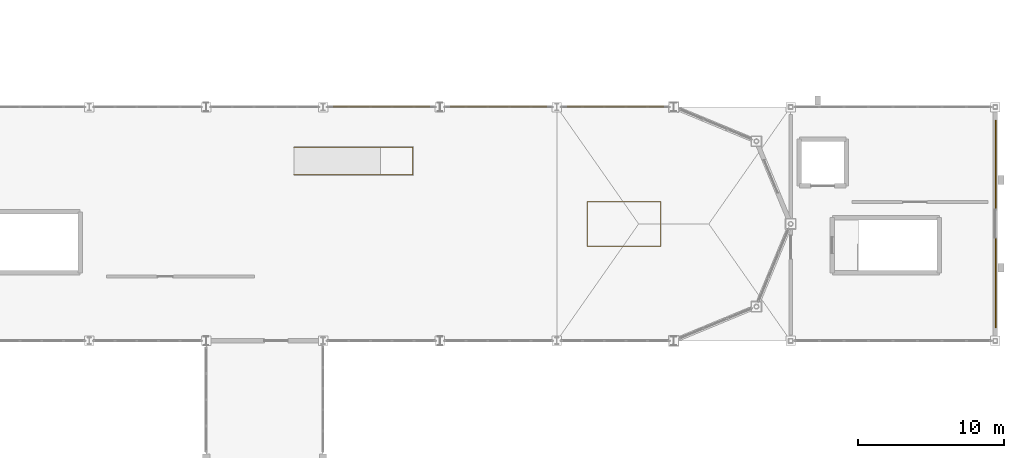
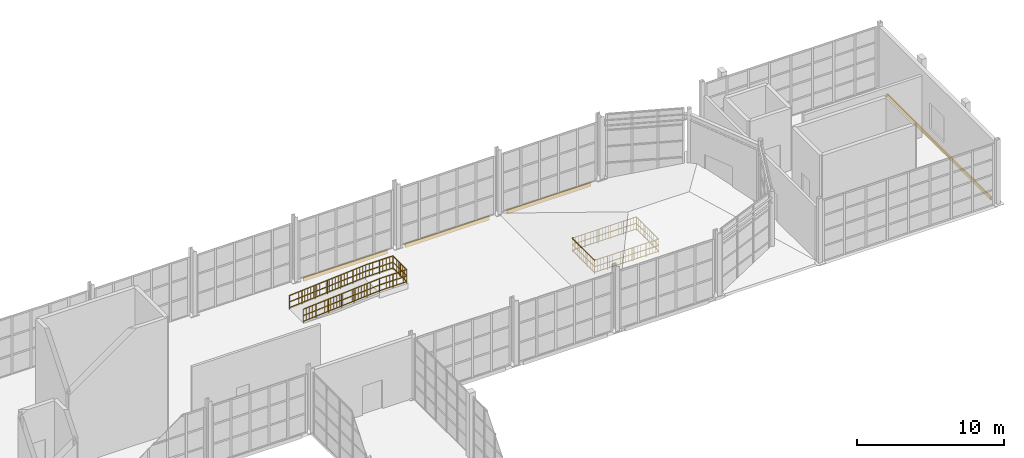
# One storey, part 82 of 82: 4 coverings, 4 railings.
"""IFC4 building model written with IfcOpenShell, lengths in metres."""

from ifc_helpers import new_model, si_unit, direction, frame, origin, origin_2d, place, context, subcontext, project, spatial, rectangle, extrude, material, layer, layer_set, type_object, element, save


model = new_model("IFC4")

# Units and contexts
model_context = context("Model", 3, precision=1e-05, world=origin(), true_north=direction((0.0, 1.0)))
body_context = subcontext(model_context, "Body", "Model", "MODEL_VIEW")
ifc_project = project(units=[si_unit("LENGTHUNIT", "METRE"), si_unit("AREAUNIT", "SQUARE_METRE"), si_unit("VOLUMEUNIT", "CUBIC_METRE"), si_unit("PLANEANGLEUNIT", "RADIAN"), si_unit("MASSUNIT", "GRAM", prefix="KILO")], contexts=[model_context])

# Site, building, storey
site_placement = place(None, origin())
site = spatial("IfcSite", under=ifc_project, at=site_placement, CompositionType="ELEMENT")
building_placement = place(site_placement, origin())
building = spatial("IfcBuilding", under=site, at=building_placement, Name="Serraluz Foothill Cableway Terminal", CompositionType="ELEMENT")
storey_placement = place(building_placement, frame((0.0, 0.0, 9.60009765625)))
storey = spatial("IfcBuildingStorey", under=building, at=storey_placement, Name="L02", CompositionType="ELEMENT", Elevation=9.60009765625)

# Coverings
ifc_material_1 = material(Name="Fired clay masonry brick (f'm 12 MPa)", Category="masonry")
ifc_layer_1 = layer(ifc_material_1, 0.090087890625, Name="Fired clay masonry brick (f'm 12 MPa)", Category="masonry")
ifc_layer_set_1 = layer_set([ifc_layer_1], Name="Fired clay masonry brick (f'm 12 MPa)")
covering_type = type_object("IfcCoveringType", Name="TYP-COV-CLAD-90", PredefinedType="CLADDING", material=ifc_layer_set_1)
for number, where, z_axis, x_axis, name in (
    (1, (132.0, 72.030029296875, -0.3203125), (0.0, 0.0, 1.0), (1.0, 0.0, 0.0), "Terracotta Spandrel Relief Band COV-CLAD-V1N-12"),
    (2, (140.0, 72.030029296875, -0.3203125), (0.0, 0.0, 1.0), (1.0, 0.0, 0.0), "Terracotta Spandrel Relief Band COV-CLAD-V1N-13"),
    (3, (148.0, 72.030029296875, -0.3203125), (0.0, 0.0, 1.0), (1.0, 0.0, 0.0), "Terracotta Spandrel Relief Band COV-CLAD-V1N-14"),
):
    element("IfcCovering", number, at=place(storey_placement, frame(where, z_axis=z_axis, x_axis=x_axis)), inside=storey, type_object=covering_type, Name=name, PredefinedType="CLADDING", context=body_context, shape_type="SweptSolid", body=[
        extrude(rectangle(XDim=6.60009765625, YDim=0.090087890625, at=origin_2d()), origin(), (0.0, 0.0, 1.0), 0.320068359375),
    ])
covering_placement = place(storey_placement, frame((174.030029296875, 64.0, -0.2802734375), z_axis=(0.0, 0.0, 1.0), x_axis=(0.0, 1.0, 0.0)))
element("IfcCovering", 4, at=covering_placement, inside=storey, type_object=covering_type, Name="Terracotta Spandrel Relief Band COV-CLAD-V2E-2", PredefinedType="CLADDING", context=body_context, shape_type="SweptSolid", body=[
    extrude(rectangle(XDim=14.199951171875, YDim=0.090087890625, at=origin_2d()), origin(), (0.0, 0.0, 1.0), 0.280029296875),
])

# Railings
ifc_material_2 = material(Name="Steel ASTM A572 Grade 50", Category="steel")
ifc_layer_2 = layer(ifc_material_2, 0.054931640625, Name="Steel ASTM A572 Grade 50", Category="steel")
ifc_layer_set_2 = layer_set([ifc_layer_2], Name="Steel ASTM A572 Grade 50")
railing_type = type_object("IfcRailingType", Name="TYP-RL-GRD-1150", PredefinedType="GUARDRAIL", material=ifc_layer_set_2)
railing_1_placement = place(storey_placement, frame((146.080078125, 62.47998046875, 0.0)))
element("IfcRailing", 5, at=railing_1_placement, inside=storey, type_object=railing_type, Name="GUARDRAIL GRD-L02-SLOT2", PredefinedType="GUARDRAIL", context=body_context, shape_type="SweptSolid", body=[
    extrude(rectangle(XDim=0.048095703125, YDim=0.048095703125, at=origin_2d()), frame((0.0, 0.0, 1.1259765625), z_axis=(1.0, 0.0, 0.0), x_axis=(0.0, 1.0, 0.0)), (0.0, 0.0, 1.0), 5.0400390625),
    extrude(rectangle(XDim=0.048095703125, YDim=0.048095703125, at=origin_2d()), frame((0.0, 0.0, 0.597900390625), z_axis=(1.0, 0.0, 0.0), x_axis=(0.0, 1.0, 0.0)), (0.0, 0.0, 1.0), 5.0400390625),
    extrude(rectangle(XDim=0.048095703125, YDim=0.048095703125, at=origin_2d()), frame((0.0, 0.0, 0.1201171875), z_axis=(1.0, 0.0, 0.0), x_axis=(0.0, 1.0, 0.0)), (0.0, 0.0, 1.0), 5.0400390625),
    extrude(rectangle(XDim=0.02001953125, YDim=0.02001953125, at=origin_2d()), frame((0.239990234375, 0.0, 0.1201171875)), (0.0, 0.0, 1.0), 0.981689453125),
    extrude(rectangle(XDim=0.02001953125, YDim=0.02001953125, at=origin_2d()), frame((0.47998046875, 0.0, 0.1201171875)), (0.0, 0.0, 1.0), 0.981689453125),
    extrude(rectangle(XDim=0.02001953125, YDim=0.02001953125, at=origin_2d()), frame((0.719970703125, 0.0, 0.1201171875)), (0.0, 0.0, 1.0), 0.981689453125),
    extrude(rectangle(XDim=0.02001953125, YDim=0.02001953125, at=origin_2d()), frame((1.199951171875, 0.0, 0.1201171875)), (0.0, 0.0, 1.0), 0.981689453125),
    extrude(rectangle(XDim=0.02001953125, YDim=0.02001953125, at=origin_2d()), frame((1.43994140625, 0.0, 0.1201171875)), (0.0, 0.0, 1.0), 0.981689453125),
    extrude(rectangle(XDim=0.02001953125, YDim=0.02001953125, at=origin_2d()), frame((1.679931640625, 0.0, 0.1201171875)), (0.0, 0.0, 1.0), 0.981689453125),
    extrude(rectangle(XDim=0.02001953125, YDim=0.02001953125, at=origin_2d()), frame((1.919921875, 0.0, 0.1201171875)), (0.0, 0.0, 1.0), 0.981689453125),
    extrude(rectangle(XDim=0.02001953125, YDim=0.02001953125, at=origin_2d()), frame((2.159912109375, 0.0, 0.1201171875)), (0.0, 0.0, 1.0), 0.981689453125),
    extrude(rectangle(XDim=0.02001953125, YDim=0.02001953125, at=origin_2d()), frame((2.39990234375, 0.0, 0.1201171875)), (0.0, 0.0, 1.0), 0.981689453125),
    extrude(rectangle(XDim=0.02001953125, YDim=0.02001953125, at=origin_2d()), frame((2.64013671875, 0.0, 0.1201171875)), (0.0, 0.0, 1.0), 0.981689453125),
    extrude(rectangle(XDim=0.02001953125, YDim=0.02001953125, at=origin_2d()), frame((2.880126953125, 0.0, 0.1201171875)), (0.0, 0.0, 1.0), 0.981689453125),
    extrude(rectangle(XDim=0.02001953125, YDim=0.02001953125, at=origin_2d()), frame((3.1201171875, 0.0, 0.1201171875)), (0.0, 0.0, 1.0), 0.981689453125),
    extrude(rectangle(XDim=0.02001953125, YDim=0.02001953125, at=origin_2d()), frame((3.360107421875, 0.0, 0.1201171875)), (0.0, 0.0, 1.0), 0.981689453125),
    extrude(rectangle(XDim=0.02001953125, YDim=0.02001953125, at=origin_2d()), frame((3.60009765625, 0.0, 0.1201171875)), (0.0, 0.0, 1.0), 0.981689453125),
    extrude(rectangle(XDim=0.02001953125, YDim=0.02001953125, at=origin_2d()), frame((3.840087890625, 0.0, 0.1201171875)), (0.0, 0.0, 1.0), 0.981689453125),
    extrude(rectangle(XDim=0.02001953125, YDim=0.02001953125, at=origin_2d()), frame((4.320068359375, 0.0, 0.1201171875)), (0.0, 0.0, 1.0), 0.981689453125),
    extrude(rectangle(XDim=0.02001953125, YDim=0.02001953125, at=origin_2d()), frame((4.56005859375, 0.0, 0.1201171875)), (0.0, 0.0, 1.0), 0.981689453125),
    extrude(rectangle(XDim=0.02001953125, YDim=0.02001953125, at=origin_2d()), frame((4.800048828125, 0.0, 0.1201171875)), (0.0, 0.0, 1.0), 0.981689453125),
    extrude(rectangle(XDim=0.048095703125, YDim=0.048095703125, at=origin_2d()), frame((5.0400390625, 0.0, 1.1259765625), z_axis=(0.0, 1.0, 0.0), x_axis=(-1.0, 0.0, 0.0)), (0.0, 0.0, 1.0), 3.0400390625),
    extrude(rectangle(XDim=0.048095703125, YDim=0.048095703125, at=origin_2d()), frame((5.0400390625, 0.0, 0.597900390625), z_axis=(0.0, 1.0, 0.0), x_axis=(-1.0, 0.0, 0.0)), (0.0, 0.0, 1.0), 3.0400390625),
    extrude(rectangle(XDim=0.048095703125, YDim=0.048095703125, at=origin_2d()), frame((5.0400390625, 0.0, 0.1201171875), z_axis=(0.0, 1.0, 0.0), x_axis=(-1.0, 0.0, 0.0)), (0.0, 0.0, 1.0), 3.0400390625),
    extrude(rectangle(XDim=0.02001953125, YDim=0.02001953125, at=origin_2d()), frame((5.0400390625, 0.25341796875, 0.1201171875)), (0.0, 0.0, 1.0), 0.981689453125),
    extrude(rectangle(XDim=0.02001953125, YDim=0.02001953125, at=origin_2d()), frame((5.0400390625, 0.506591796875, 0.1201171875)), (0.0, 0.0, 1.0), 0.981689453125),
    extrude(rectangle(XDim=0.02001953125, YDim=0.02001953125, at=origin_2d()), frame((5.0400390625, 0.760009765625, 0.1201171875)), (0.0, 0.0, 1.0), 0.981689453125),
    extrude(rectangle(XDim=0.02001953125, YDim=0.02001953125, at=origin_2d()), frame((5.0400390625, 1.2666015625, 0.1201171875)), (0.0, 0.0, 1.0), 0.981689453125),
    extrude(rectangle(XDim=0.02001953125, YDim=0.02001953125, at=origin_2d()), frame((5.0400390625, 1.52001953125, 0.1201171875)), (0.0, 0.0, 1.0), 0.981689453125),
    extrude(rectangle(XDim=0.02001953125, YDim=0.02001953125, at=origin_2d()), frame((5.0400390625, 1.7734375, 0.1201171875)), (0.0, 0.0, 1.0), 0.981689453125),
    extrude(rectangle(XDim=0.02001953125, YDim=0.02001953125, at=origin_2d()), frame((5.0400390625, 2.280029296875, 0.1201171875)), (0.0, 0.0, 1.0), 0.981689453125),
    extrude(rectangle(XDim=0.02001953125, YDim=0.02001953125, at=origin_2d()), frame((5.0400390625, 2.533447265625, 0.1201171875)), (0.0, 0.0, 1.0), 0.981689453125),
    extrude(rectangle(XDim=0.02001953125, YDim=0.02001953125, at=origin_2d()), frame((5.0400390625, 2.78662109375, 0.1201171875)), (0.0, 0.0, 1.0), 0.981689453125),
    extrude(rectangle(XDim=0.048095703125, YDim=0.048095703125, at=origin_2d()), frame((5.0400390625, 3.0400390625, 1.1259765625), z_axis=(-1.0, 0.0, 0.0), x_axis=(0.0, -1.0, 0.0)), (0.0, 0.0, 1.0), 5.0400390625),
    extrude(rectangle(XDim=0.048095703125, YDim=0.048095703125, at=origin_2d()), frame((5.0400390625, 3.0400390625, 0.597900390625), z_axis=(-1.0, 0.0, 0.0), x_axis=(0.0, -1.0, 0.0)), (0.0, 0.0, 1.0), 5.0400390625),
    extrude(rectangle(XDim=0.048095703125, YDim=0.048095703125, at=origin_2d()), frame((5.0400390625, 3.0400390625, 0.1201171875), z_axis=(-1.0, 0.0, 0.0), x_axis=(0.0, -1.0, 0.0)), (0.0, 0.0, 1.0), 5.0400390625),
    extrude(rectangle(XDim=0.02001953125, YDim=0.02001953125, at=origin_2d()), frame((4.800048828125, 3.0400390625, 0.1201171875)), (0.0, 0.0, 1.0), 0.981689453125),
    extrude(rectangle(XDim=0.02001953125, YDim=0.02001953125, at=origin_2d()), frame((4.56005859375, 3.0400390625, 0.1201171875)), (0.0, 0.0, 1.0), 0.981689453125),
    extrude(rectangle(XDim=0.02001953125, YDim=0.02001953125, at=origin_2d()), frame((4.320068359375, 3.0400390625, 0.1201171875)), (0.0, 0.0, 1.0), 0.981689453125),
    extrude(rectangle(XDim=0.02001953125, YDim=0.02001953125, at=origin_2d()), frame((3.840087890625, 3.0400390625, 0.1201171875)), (0.0, 0.0, 1.0), 0.981689453125),
    extrude(rectangle(XDim=0.02001953125, YDim=0.02001953125, at=origin_2d()), frame((3.60009765625, 3.0400390625, 0.1201171875)), (0.0, 0.0, 1.0), 0.981689453125),
    extrude(rectangle(XDim=0.02001953125, YDim=0.02001953125, at=origin_2d()), frame((3.360107421875, 3.0400390625, 0.1201171875)), (0.0, 0.0, 1.0), 0.981689453125),
    extrude(rectangle(XDim=0.02001953125, YDim=0.02001953125, at=origin_2d()), frame((3.1201171875, 3.0400390625, 0.1201171875)), (0.0, 0.0, 1.0), 0.981689453125),
    extrude(rectangle(XDim=0.02001953125, YDim=0.02001953125, at=origin_2d()), frame((2.880126953125, 3.0400390625, 0.1201171875)), (0.0, 0.0, 1.0), 0.981689453125),
    extrude(rectangle(XDim=0.02001953125, YDim=0.02001953125, at=origin_2d()), frame((2.64013671875, 3.0400390625, 0.1201171875)), (0.0, 0.0, 1.0), 0.981689453125),
    extrude(rectangle(XDim=0.02001953125, YDim=0.02001953125, at=origin_2d()), frame((2.39990234375, 3.0400390625, 0.1201171875)), (0.0, 0.0, 1.0), 0.981689453125),
    extrude(rectangle(XDim=0.02001953125, YDim=0.02001953125, at=origin_2d()), frame((2.159912109375, 3.0400390625, 0.1201171875)), (0.0, 0.0, 1.0), 0.981689453125),
    extrude(rectangle(XDim=0.02001953125, YDim=0.02001953125, at=origin_2d()), frame((1.919921875, 3.0400390625, 0.1201171875)), (0.0, 0.0, 1.0), 0.981689453125),
    extrude(rectangle(XDim=0.02001953125, YDim=0.02001953125, at=origin_2d()), frame((1.679931640625, 3.0400390625, 0.1201171875)), (0.0, 0.0, 1.0), 0.981689453125),
    extrude(rectangle(XDim=0.02001953125, YDim=0.02001953125, at=origin_2d()), frame((1.43994140625, 3.0400390625, 0.1201171875)), (0.0, 0.0, 1.0), 0.981689453125),
    extrude(rectangle(XDim=0.02001953125, YDim=0.02001953125, at=origin_2d()), frame((1.199951171875, 3.0400390625, 0.1201171875)), (0.0, 0.0, 1.0), 0.981689453125),
    extrude(rectangle(XDim=0.02001953125, YDim=0.02001953125, at=origin_2d()), frame((0.719970703125, 3.0400390625, 0.1201171875)), (0.0, 0.0, 1.0), 0.981689453125),
    extrude(rectangle(XDim=0.02001953125, YDim=0.02001953125, at=origin_2d()), frame((0.47998046875, 3.0400390625, 0.1201171875)), (0.0, 0.0, 1.0), 0.981689453125),
    extrude(rectangle(XDim=0.02001953125, YDim=0.02001953125, at=origin_2d()), frame((0.239990234375, 3.0400390625, 0.1201171875)), (0.0, 0.0, 1.0), 0.981689453125),
    extrude(rectangle(XDim=0.048095703125, YDim=0.048095703125, at=origin_2d()), frame((0.0, 3.0400390625, 1.1259765625), z_axis=(0.0, -1.0, 0.0), x_axis=(1.0, 0.0, 0.0)), (0.0, 0.0, 1.0), 3.0400390625),
    extrude(rectangle(XDim=0.048095703125, YDim=0.048095703125, at=origin_2d()), frame((0.0, 3.0400390625, 0.597900390625), z_axis=(0.0, -1.0, 0.0), x_axis=(1.0, 0.0, 0.0)), (0.0, 0.0, 1.0), 3.0400390625),
    extrude(rectangle(XDim=0.048095703125, YDim=0.048095703125, at=origin_2d()), frame((0.0, 3.0400390625, 0.1201171875), z_axis=(0.0, -1.0, 0.0), x_axis=(1.0, 0.0, 0.0)), (0.0, 0.0, 1.0), 3.0400390625),
    extrude(rectangle(XDim=0.02001953125, YDim=0.02001953125, at=origin_2d()), frame((0.0, 2.78662109375, 0.1201171875)), (0.0, 0.0, 1.0), 0.981689453125),
    extrude(rectangle(XDim=0.02001953125, YDim=0.02001953125, at=origin_2d()), frame((0.0, 2.533447265625, 0.1201171875)), (0.0, 0.0, 1.0), 0.981689453125),
    extrude(rectangle(XDim=0.02001953125, YDim=0.02001953125, at=origin_2d()), frame((0.0, 2.280029296875, 0.1201171875)), (0.0, 0.0, 1.0), 0.981689453125),
    extrude(rectangle(XDim=0.02001953125, YDim=0.02001953125, at=origin_2d()), frame((0.0, 1.7734375, 0.1201171875)), (0.0, 0.0, 1.0), 0.981689453125),
    extrude(rectangle(XDim=0.02001953125, YDim=0.02001953125, at=origin_2d()), frame((0.0, 1.52001953125, 0.1201171875)), (0.0, 0.0, 1.0), 0.981689453125),
    extrude(rectangle(XDim=0.02001953125, YDim=0.02001953125, at=origin_2d()), frame((0.0, 1.2666015625, 0.1201171875)), (0.0, 0.0, 1.0), 0.981689453125),
    extrude(rectangle(XDim=0.02001953125, YDim=0.02001953125, at=origin_2d()), frame((0.0, 0.760009765625, 0.1201171875)), (0.0, 0.0, 1.0), 0.981689453125),
    extrude(rectangle(XDim=0.02001953125, YDim=0.02001953125, at=origin_2d()), frame((0.0, 0.506591796875, 0.1201171875)), (0.0, 0.0, 1.0), 0.981689453125),
    extrude(rectangle(XDim=0.02001953125, YDim=0.02001953125, at=origin_2d()), frame((0.0, 0.25341796875, 0.1201171875)), (0.0, 0.0, 1.0), 0.981689453125),
    extrude(rectangle(XDim=0.0439453125, YDim=0.0439453125, at=origin_2d()), origin(), (0.0, 0.0, 1.0), 1.101806640625),
    extrude(rectangle(XDim=0.0439453125, YDim=0.0439453125, at=origin_2d()), frame((1.008056640625, 0.0, 0.0)), (0.0, 0.0, 1.0), 1.101806640625),
    extrude(rectangle(XDim=0.0439453125, YDim=0.0439453125, at=origin_2d()), frame((2.01611328125, 0.0, 0.0)), (0.0, 0.0, 1.0), 1.101806640625),
    extrude(rectangle(XDim=0.0439453125, YDim=0.0439453125, at=origin_2d()), frame((3.02392578125, 0.0, 0.0)), (0.0, 0.0, 1.0), 1.101806640625),
    extrude(rectangle(XDim=0.0439453125, YDim=0.0439453125, at=origin_2d()), frame((4.031982421875, 0.0, 0.0)), (0.0, 0.0, 1.0), 1.101806640625),
    extrude(rectangle(XDim=0.0439453125, YDim=0.0439453125, at=origin_2d()), frame((5.0400390625, 0.0, 0.0)), (0.0, 0.0, 1.0), 1.101806640625),
    extrude(rectangle(XDim=0.0439453125, YDim=0.0439453125, at=origin_2d()), frame((5.0400390625, 1.013427734375, 0.0)), (0.0, 0.0, 1.0), 1.101806640625),
    extrude(rectangle(XDim=0.0439453125, YDim=0.0439453125, at=origin_2d()), frame((5.0400390625, 2.026611328125, 0.0)), (0.0, 0.0, 1.0), 1.101806640625),
    extrude(rectangle(XDim=0.0439453125, YDim=0.0439453125, at=origin_2d()), frame((5.0400390625, 3.0400390625, 0.0)), (0.0, 0.0, 1.0), 1.101806640625),
    extrude(rectangle(XDim=0.0439453125, YDim=0.0439453125, at=origin_2d()), frame((4.031982421875, 3.0400390625, 0.0)), (0.0, 0.0, 1.0), 1.101806640625),
    extrude(rectangle(XDim=0.0439453125, YDim=0.0439453125, at=origin_2d()), frame((3.02392578125, 3.0400390625, 0.0)), (0.0, 0.0, 1.0), 1.101806640625),
    extrude(rectangle(XDim=0.0439453125, YDim=0.0439453125, at=origin_2d()), frame((2.01611328125, 3.0400390625, 0.0)), (0.0, 0.0, 1.0), 1.101806640625),
    extrude(rectangle(XDim=0.0439453125, YDim=0.0439453125, at=origin_2d()), frame((1.008056640625, 3.0400390625, 0.0)), (0.0, 0.0, 1.0), 1.101806640625),
    extrude(rectangle(XDim=0.0439453125, YDim=0.0439453125, at=origin_2d()), frame((0.0, 3.0400390625, 0.0)), (0.0, 0.0, 1.0), 1.101806640625),
    extrude(rectangle(XDim=0.0439453125, YDim=0.0439453125, at=origin_2d()), frame((0.0, 2.026611328125, 0.0)), (0.0, 0.0, 1.0), 1.101806640625),
    extrude(rectangle(XDim=0.0439453125, YDim=0.0439453125, at=origin_2d()), frame((0.0, 1.013427734375, 0.0)), (0.0, 0.0, 1.0), 1.101806640625),
])
railing_2_placement = place(storey_placement, frame((132.0, 67.360107421875, 0.449951171875)))
element("IfcRailing", 6, at=railing_2_placement, inside=storey, type_object=railing_type, Name="GUARDRAIL RMP-06 Plinth", PredefinedType="GUARDRAIL", context=body_context, shape_type="SweptSolid", body=[
    extrude(rectangle(XDim=0.048095703125, YDim=0.048095703125, at=origin_2d()), frame((0.0, 0.0, 1.1259765625), z_axis=(1.0, 0.0, 0.0), x_axis=(0.0, 1.0, 0.0)), (0.0, 0.0, 1.0), 2.139892578125),
    extrude(rectangle(XDim=0.048095703125, YDim=0.048095703125, at=origin_2d()), frame((0.0, 0.0, 0.597900390625), z_axis=(1.0, 0.0, 0.0), x_axis=(0.0, 1.0, 0.0)), (0.0, 0.0, 1.0), 2.139892578125),
    extrude(rectangle(XDim=0.048095703125, YDim=0.048095703125, at=origin_2d()), frame((0.0, 0.0, 0.1201171875), z_axis=(1.0, 0.0, 0.0), x_axis=(0.0, 1.0, 0.0)), (0.0, 0.0, 1.0), 2.139892578125),
    extrude(rectangle(XDim=0.02001953125, YDim=0.02001953125, at=origin_2d()), frame((0.267578125, 0.0, 0.1201171875)), (0.0, 0.0, 1.0), 0.981689453125),
    extrude(rectangle(XDim=0.02001953125, YDim=0.02001953125, at=origin_2d()), frame((0.534912109375, 0.0, 0.1201171875)), (0.0, 0.0, 1.0), 0.981689453125),
    extrude(rectangle(XDim=0.02001953125, YDim=0.02001953125, at=origin_2d()), frame((0.802490234375, 0.0, 0.1201171875)), (0.0, 0.0, 1.0), 0.981689453125),
    extrude(rectangle(XDim=0.02001953125, YDim=0.02001953125, at=origin_2d()), frame((1.33740234375, 0.0, 0.1201171875)), (0.0, 0.0, 1.0), 0.981689453125),
    extrude(rectangle(XDim=0.02001953125, YDim=0.02001953125, at=origin_2d()), frame((1.60498046875, 0.0, 0.1201171875)), (0.0, 0.0, 1.0), 0.981689453125),
    extrude(rectangle(XDim=0.02001953125, YDim=0.02001953125, at=origin_2d()), frame((1.872314453125, 0.0, 0.1201171875)), (0.0, 0.0, 1.0), 0.981689453125),
    extrude(rectangle(XDim=0.048095703125, YDim=0.048095703125, at=origin_2d()), frame((2.139892578125, 0.0, 1.1259765625), z_axis=(0.0, 1.0, 0.0), x_axis=(-1.0, 0.0, 0.0)), (0.0, 0.0, 1.0), 1.8798828125),
    extrude(rectangle(XDim=0.048095703125, YDim=0.048095703125, at=origin_2d()), frame((2.139892578125, 0.0, 0.597900390625), z_axis=(0.0, 1.0, 0.0), x_axis=(-1.0, 0.0, 0.0)), (0.0, 0.0, 1.0), 1.8798828125),
    extrude(rectangle(XDim=0.048095703125, YDim=0.048095703125, at=origin_2d()), frame((2.139892578125, 0.0, 0.1201171875), z_axis=(0.0, 1.0, 0.0), x_axis=(-1.0, 0.0, 0.0)), (0.0, 0.0, 1.0), 1.8798828125),
    extrude(rectangle(XDim=0.02001953125, YDim=0.02001953125, at=origin_2d()), frame((2.139892578125, 0.2685546875, 0.1201171875)), (0.0, 0.0, 1.0), 0.981689453125),
    extrude(rectangle(XDim=0.02001953125, YDim=0.02001953125, at=origin_2d()), frame((2.139892578125, 0.537109375, 0.1201171875)), (0.0, 0.0, 1.0), 0.981689453125),
    extrude(rectangle(XDim=0.02001953125, YDim=0.02001953125, at=origin_2d()), frame((2.139892578125, 0.8056640625, 0.1201171875)), (0.0, 0.0, 1.0), 0.981689453125),
    extrude(rectangle(XDim=0.02001953125, YDim=0.02001953125, at=origin_2d()), frame((2.139892578125, 1.07421875, 0.1201171875)), (0.0, 0.0, 1.0), 0.981689453125),
    extrude(rectangle(XDim=0.02001953125, YDim=0.02001953125, at=origin_2d()), frame((2.139892578125, 1.3427734375, 0.1201171875)), (0.0, 0.0, 1.0), 0.981689453125),
    extrude(rectangle(XDim=0.02001953125, YDim=0.02001953125, at=origin_2d()), frame((2.139892578125, 1.611328125, 0.1201171875)), (0.0, 0.0, 1.0), 0.981689453125),
    extrude(rectangle(XDim=0.048095703125, YDim=0.048095703125, at=origin_2d()), frame((2.139892578125, 1.8798828125, 1.1259765625), z_axis=(-1.0, 0.0, 0.0), x_axis=(0.0, -1.0, 0.0)), (0.0, 0.0, 1.0), 2.139892578125),
    extrude(rectangle(XDim=0.048095703125, YDim=0.048095703125, at=origin_2d()), frame((2.139892578125, 1.8798828125, 0.597900390625), z_axis=(-1.0, 0.0, 0.0), x_axis=(0.0, -1.0, 0.0)), (0.0, 0.0, 1.0), 2.139892578125),
    extrude(rectangle(XDim=0.048095703125, YDim=0.048095703125, at=origin_2d()), frame((2.139892578125, 1.8798828125, 0.1201171875), z_axis=(-1.0, 0.0, 0.0), x_axis=(0.0, -1.0, 0.0)), (0.0, 0.0, 1.0), 2.139892578125),
    extrude(rectangle(XDim=0.02001953125, YDim=0.02001953125, at=origin_2d()), frame((1.872314453125, 1.8798828125, 0.1201171875)), (0.0, 0.0, 1.0), 0.981689453125),
    extrude(rectangle(XDim=0.02001953125, YDim=0.02001953125, at=origin_2d()), frame((1.60498046875, 1.8798828125, 0.1201171875)), (0.0, 0.0, 1.0), 0.981689453125),
    extrude(rectangle(XDim=0.02001953125, YDim=0.02001953125, at=origin_2d()), frame((1.33740234375, 1.8798828125, 0.1201171875)), (0.0, 0.0, 1.0), 0.981689453125),
    extrude(rectangle(XDim=0.02001953125, YDim=0.02001953125, at=origin_2d()), frame((0.802490234375, 1.8798828125, 0.1201171875)), (0.0, 0.0, 1.0), 0.981689453125),
    extrude(rectangle(XDim=0.02001953125, YDim=0.02001953125, at=origin_2d()), frame((0.534912109375, 1.8798828125, 0.1201171875)), (0.0, 0.0, 1.0), 0.981689453125),
    extrude(rectangle(XDim=0.02001953125, YDim=0.02001953125, at=origin_2d()), frame((0.267578125, 1.8798828125, 0.1201171875)), (0.0, 0.0, 1.0), 0.981689453125),
    extrude(rectangle(XDim=0.0439453125, YDim=0.0439453125, at=origin_2d()), origin(), (0.0, 0.0, 1.0), 1.101806640625),
    extrude(rectangle(XDim=0.0439453125, YDim=0.0439453125, at=origin_2d()), frame((1.06982421875, 0.0, 0.0)), (0.0, 0.0, 1.0), 1.101806640625),
    extrude(rectangle(XDim=0.0439453125, YDim=0.0439453125, at=origin_2d()), frame((2.139892578125, 0.0, 0.0)), (0.0, 0.0, 1.0), 1.101806640625),
    extrude(rectangle(XDim=0.0439453125, YDim=0.0439453125, at=origin_2d()), frame((2.139892578125, 0.93994140625, 0.0)), (0.0, 0.0, 1.0), 1.101806640625),
    extrude(rectangle(XDim=0.0439453125, YDim=0.0439453125, at=origin_2d()), frame((2.139892578125, 1.8798828125, 0.0)), (0.0, 0.0, 1.0), 1.101806640625),
    extrude(rectangle(XDim=0.0439453125, YDim=0.0439453125, at=origin_2d()), frame((1.06982421875, 1.8798828125, 0.0)), (0.0, 0.0, 1.0), 1.101806640625),
    extrude(rectangle(XDim=0.0439453125, YDim=0.0439453125, at=origin_2d()), frame((0.0, 1.8798828125, 0.0)), (0.0, 0.0, 1.0), 1.101806640625),
])
railing_3_placement = place(storey_placement, frame((126.0, 69.239990234375, 0.0)))
element("IfcRailing", 7, at=railing_3_placement, inside=storey, type_object=railing_type, Name="HANDRAIL RMP-06-L", PredefinedType="GUARDRAIL", context=body_context, shape_type="SweptSolid", body=[
    extrude(rectangle(XDim=0.048095703125, YDim=0.048095703125, at=origin_2d()), frame((0.0, 0.0, 1.1259765625), z_axis=(0.997199915094, 0.0, 0.074781878398), x_axis=(0.0, 1.0, 0.0)), (0.0, 0.0, 1.0), 6.016845703125),
    extrude(rectangle(XDim=0.048095703125, YDim=0.048095703125, at=origin_2d()), frame((0.0, 0.0, 0.597900390625), z_axis=(0.997199915094, 0.0, 0.074781878398), x_axis=(0.0, 1.0, 0.0)), (0.0, 0.0, 1.0), 6.016845703125),
    extrude(rectangle(XDim=0.048095703125, YDim=0.048095703125, at=origin_2d()), frame((0.0, 0.0, 0.1201171875), z_axis=(0.997199915094, 0.0, 0.074781878398), x_axis=(0.0, 1.0, 0.0)), (0.0, 0.0, 1.0), 6.016845703125),
    extrude(rectangle(XDim=0.02001953125, YDim=0.02001953125, at=origin_2d()), frame((0.239990234375, 0.0, 0.137939453125)), (0.0, 0.0, 1.0), 0.981689453125),
    extrude(rectangle(XDim=0.02001953125, YDim=0.02001953125, at=origin_2d()), frame((0.47998046875, 0.0, 0.156005859375)), (0.0, 0.0, 1.0), 0.981689453125),
    extrude(rectangle(XDim=0.02001953125, YDim=0.02001953125, at=origin_2d()), frame((0.719970703125, 0.0, 0.174072265625)), (0.0, 0.0, 1.0), 0.981689453125),
    extrude(rectangle(XDim=0.02001953125, YDim=0.02001953125, at=origin_2d()), frame((1.199951171875, 0.0, 0.2099609375)), (0.0, 0.0, 1.0), 0.981689453125),
    extrude(rectangle(XDim=0.02001953125, YDim=0.02001953125, at=origin_2d()), frame((1.43994140625, 0.0, 0.22802734375)), (0.0, 0.0, 1.0), 0.981689453125),
    extrude(rectangle(XDim=0.02001953125, YDim=0.02001953125, at=origin_2d()), frame((1.679931640625, 0.0, 0.24609375)), (0.0, 0.0, 1.0), 0.981689453125),
    extrude(rectangle(XDim=0.02001953125, YDim=0.02001953125, at=origin_2d()), frame((1.919921875, 0.0, 0.263916015625)), (0.0, 0.0, 1.0), 0.981689453125),
    extrude(rectangle(XDim=0.02001953125, YDim=0.02001953125, at=origin_2d()), frame((2.159912109375, 0.0, 0.281982421875)), (0.0, 0.0, 1.0), 0.981689453125),
    extrude(rectangle(XDim=0.02001953125, YDim=0.02001953125, at=origin_2d()), frame((2.39990234375, 0.0, 0.300048828125)), (0.0, 0.0, 1.0), 0.981689453125),
    extrude(rectangle(XDim=0.02001953125, YDim=0.02001953125, at=origin_2d()), frame((2.639892578125, 0.0, 0.31787109375)), (0.0, 0.0, 1.0), 0.981689453125),
    extrude(rectangle(XDim=0.02001953125, YDim=0.02001953125, at=origin_2d()), frame((2.8798828125, 0.0, 0.3359375)), (0.0, 0.0, 1.0), 0.981689453125),
    extrude(rectangle(XDim=0.02001953125, YDim=0.02001953125, at=origin_2d()), frame((3.1201171875, 0.0, 0.35400390625)), (0.0, 0.0, 1.0), 0.981689453125),
    extrude(rectangle(XDim=0.02001953125, YDim=0.02001953125, at=origin_2d()), frame((3.360107421875, 0.0, 0.3720703125)), (0.0, 0.0, 1.0), 0.981689453125),
    extrude(rectangle(XDim=0.02001953125, YDim=0.02001953125, at=origin_2d()), frame((3.60009765625, 0.0, 0.389892578125)), (0.0, 0.0, 1.0), 0.981689453125),
    extrude(rectangle(XDim=0.02001953125, YDim=0.02001953125, at=origin_2d()), frame((3.840087890625, 0.0, 0.407958984375)), (0.0, 0.0, 1.0), 0.981689453125),
    extrude(rectangle(XDim=0.02001953125, YDim=0.02001953125, at=origin_2d()), frame((4.080078125, 0.0, 0.426025390625)), (0.0, 0.0, 1.0), 0.981689453125),
    extrude(rectangle(XDim=0.02001953125, YDim=0.02001953125, at=origin_2d()), frame((4.320068359375, 0.0, 0.44384765625)), (0.0, 0.0, 1.0), 0.981689453125),
    extrude(rectangle(XDim=0.02001953125, YDim=0.02001953125, at=origin_2d()), frame((4.56005859375, 0.0, 0.4619140625)), (0.0, 0.0, 1.0), 0.981689453125),
    extrude(rectangle(XDim=0.02001953125, YDim=0.02001953125, at=origin_2d()), frame((4.800048828125, 0.0, 0.47998046875)), (0.0, 0.0, 1.0), 0.981689453125),
    extrude(rectangle(XDim=0.02001953125, YDim=0.02001953125, at=origin_2d()), frame((5.280029296875, 0.0, 0.515869140625)), (0.0, 0.0, 1.0), 0.981689453125),
    extrude(rectangle(XDim=0.02001953125, YDim=0.02001953125, at=origin_2d()), frame((5.52001953125, 0.0, 0.533935546875)), (0.0, 0.0, 1.0), 0.981689453125),
    extrude(rectangle(XDim=0.02001953125, YDim=0.02001953125, at=origin_2d()), frame((5.760009765625, 0.0, 0.552001953125)), (0.0, 0.0, 1.0), 0.981689453125),
    extrude(rectangle(XDim=0.0439453125, YDim=0.0439453125, at=origin_2d()), origin(), (0.0, 0.0, 1.0), 1.101806640625),
    extrude(rectangle(XDim=0.0439453125, YDim=0.0439453125, at=origin_2d()), frame((1.0, 0.0, 0.074951171875)), (0.0, 0.0, 1.0), 1.101806640625),
    extrude(rectangle(XDim=0.0439453125, YDim=0.0439453125, at=origin_2d()), frame((2.0, 0.0, 0.14990234375)), (0.0, 0.0, 1.0), 1.101806640625),
    extrude(rectangle(XDim=0.0439453125, YDim=0.0439453125, at=origin_2d()), frame((3.0, 0.0, 0.22509765625)), (0.0, 0.0, 1.0), 1.101806640625),
    extrude(rectangle(XDim=0.0439453125, YDim=0.0439453125, at=origin_2d()), frame((4.0, 0.0, 0.300048828125)), (0.0, 0.0, 1.0), 1.101806640625),
    extrude(rectangle(XDim=0.0439453125, YDim=0.0439453125, at=origin_2d()), frame((5.0, 0.0, 0.375)), (0.0, 0.0, 1.0), 1.101806640625),
    extrude(rectangle(XDim=0.0439453125, YDim=0.0439453125, at=origin_2d()), frame((6.0, 0.0, 0.449951171875)), (0.0, 0.0, 1.0), 1.101806640625),
])
railing_4_placement = place(storey_placement, frame((126.0, 67.360107421875, 0.0)))
element("IfcRailing", 8, at=railing_4_placement, inside=storey, type_object=railing_type, Name="HANDRAIL RMP-06-R", PredefinedType="GUARDRAIL", context=body_context, shape_type="SweptSolid", body=[
    extrude(rectangle(XDim=0.048095703125, YDim=0.048095703125, at=origin_2d()), frame((0.0, 0.0, 1.1259765625), z_axis=(0.997199915094, 0.0, 0.074781878398), x_axis=(0.0, 1.0, 0.0)), (0.0, 0.0, 1.0), 6.016845703125),
    extrude(rectangle(XDim=0.048095703125, YDim=0.048095703125, at=origin_2d()), frame((0.0, 0.0, 0.597900390625), z_axis=(0.997199915094, 0.0, 0.074781878398), x_axis=(0.0, 1.0, 0.0)), (0.0, 0.0, 1.0), 6.016845703125),
    extrude(rectangle(XDim=0.048095703125, YDim=0.048095703125, at=origin_2d()), frame((0.0, 0.0, 0.1201171875), z_axis=(0.997199915094, 0.0, 0.074781878398), x_axis=(0.0, 1.0, 0.0)), (0.0, 0.0, 1.0), 6.016845703125),
    extrude(rectangle(XDim=0.02001953125, YDim=0.02001953125, at=origin_2d()), frame((0.239990234375, 0.0, 0.137939453125)), (0.0, 0.0, 1.0), 0.981689453125),
    extrude(rectangle(XDim=0.02001953125, YDim=0.02001953125, at=origin_2d()), frame((0.47998046875, 0.0, 0.156005859375)), (0.0, 0.0, 1.0), 0.981689453125),
    extrude(rectangle(XDim=0.02001953125, YDim=0.02001953125, at=origin_2d()), frame((0.719970703125, 0.0, 0.174072265625)), (0.0, 0.0, 1.0), 0.981689453125),
    extrude(rectangle(XDim=0.02001953125, YDim=0.02001953125, at=origin_2d()), frame((1.199951171875, 0.0, 0.2099609375)), (0.0, 0.0, 1.0), 0.981689453125),
    extrude(rectangle(XDim=0.02001953125, YDim=0.02001953125, at=origin_2d()), frame((1.43994140625, 0.0, 0.22802734375)), (0.0, 0.0, 1.0), 0.981689453125),
    extrude(rectangle(XDim=0.02001953125, YDim=0.02001953125, at=origin_2d()), frame((1.679931640625, 0.0, 0.24609375)), (0.0, 0.0, 1.0), 0.981689453125),
    extrude(rectangle(XDim=0.02001953125, YDim=0.02001953125, at=origin_2d()), frame((1.919921875, 0.0, 0.263916015625)), (0.0, 0.0, 1.0), 0.981689453125),
    extrude(rectangle(XDim=0.02001953125, YDim=0.02001953125, at=origin_2d()), frame((2.159912109375, 0.0, 0.281982421875)), (0.0, 0.0, 1.0), 0.981689453125),
    extrude(rectangle(XDim=0.02001953125, YDim=0.02001953125, at=origin_2d()), frame((2.39990234375, 0.0, 0.300048828125)), (0.0, 0.0, 1.0), 0.981689453125),
    extrude(rectangle(XDim=0.02001953125, YDim=0.02001953125, at=origin_2d()), frame((2.639892578125, 0.0, 0.31787109375)), (0.0, 0.0, 1.0), 0.981689453125),
    extrude(rectangle(XDim=0.02001953125, YDim=0.02001953125, at=origin_2d()), frame((2.8798828125, 0.0, 0.3359375)), (0.0, 0.0, 1.0), 0.981689453125),
    extrude(rectangle(XDim=0.02001953125, YDim=0.02001953125, at=origin_2d()), frame((3.1201171875, 0.0, 0.35400390625)), (0.0, 0.0, 1.0), 0.981689453125),
    extrude(rectangle(XDim=0.02001953125, YDim=0.02001953125, at=origin_2d()), frame((3.360107421875, 0.0, 0.3720703125)), (0.0, 0.0, 1.0), 0.981689453125),
    extrude(rectangle(XDim=0.02001953125, YDim=0.02001953125, at=origin_2d()), frame((3.60009765625, 0.0, 0.389892578125)), (0.0, 0.0, 1.0), 0.981689453125),
    extrude(rectangle(XDim=0.02001953125, YDim=0.02001953125, at=origin_2d()), frame((3.840087890625, 0.0, 0.407958984375)), (0.0, 0.0, 1.0), 0.981689453125),
    extrude(rectangle(XDim=0.02001953125, YDim=0.02001953125, at=origin_2d()), frame((4.080078125, 0.0, 0.426025390625)), (0.0, 0.0, 1.0), 0.981689453125),
    extrude(rectangle(XDim=0.02001953125, YDim=0.02001953125, at=origin_2d()), frame((4.320068359375, 0.0, 0.44384765625)), (0.0, 0.0, 1.0), 0.981689453125),
    extrude(rectangle(XDim=0.02001953125, YDim=0.02001953125, at=origin_2d()), frame((4.56005859375, 0.0, 0.4619140625)), (0.0, 0.0, 1.0), 0.981689453125),
    extrude(rectangle(XDim=0.02001953125, YDim=0.02001953125, at=origin_2d()), frame((4.800048828125, 0.0, 0.47998046875)), (0.0, 0.0, 1.0), 0.981689453125),
    extrude(rectangle(XDim=0.02001953125, YDim=0.02001953125, at=origin_2d()), frame((5.280029296875, 0.0, 0.515869140625)), (0.0, 0.0, 1.0), 0.981689453125),
    extrude(rectangle(XDim=0.02001953125, YDim=0.02001953125, at=origin_2d()), frame((5.52001953125, 0.0, 0.533935546875)), (0.0, 0.0, 1.0), 0.981689453125),
    extrude(rectangle(XDim=0.02001953125, YDim=0.02001953125, at=origin_2d()), frame((5.760009765625, 0.0, 0.552001953125)), (0.0, 0.0, 1.0), 0.981689453125),
    extrude(rectangle(XDim=0.0439453125, YDim=0.0439453125, at=origin_2d()), origin(), (0.0, 0.0, 1.0), 1.101806640625),
    extrude(rectangle(XDim=0.0439453125, YDim=0.0439453125, at=origin_2d()), frame((1.0, 0.0, 0.074951171875)), (0.0, 0.0, 1.0), 1.101806640625),
    extrude(rectangle(XDim=0.0439453125, YDim=0.0439453125, at=origin_2d()), frame((2.0, 0.0, 0.14990234375)), (0.0, 0.0, 1.0), 1.101806640625),
    extrude(rectangle(XDim=0.0439453125, YDim=0.0439453125, at=origin_2d()), frame((3.0, 0.0, 0.22509765625)), (0.0, 0.0, 1.0), 1.101806640625),
    extrude(rectangle(XDim=0.0439453125, YDim=0.0439453125, at=origin_2d()), frame((4.0, 0.0, 0.300048828125)), (0.0, 0.0, 1.0), 1.101806640625),
    extrude(rectangle(XDim=0.0439453125, YDim=0.0439453125, at=origin_2d()), frame((5.0, 0.0, 0.375)), (0.0, 0.0, 1.0), 1.101806640625),
    extrude(rectangle(XDim=0.0439453125, YDim=0.0439453125, at=origin_2d()), frame((6.0, 0.0, 0.449951171875)), (0.0, 0.0, 1.0), 1.101806640625),
])

save(model, "model.ifc")
